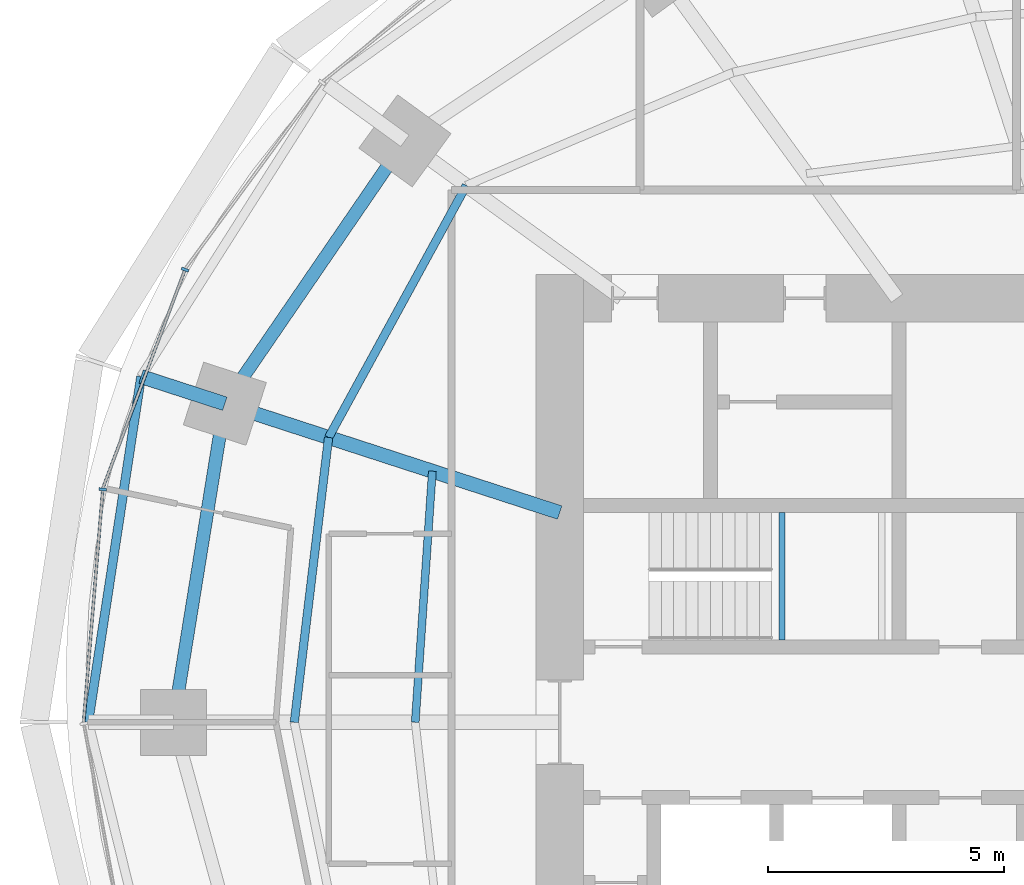
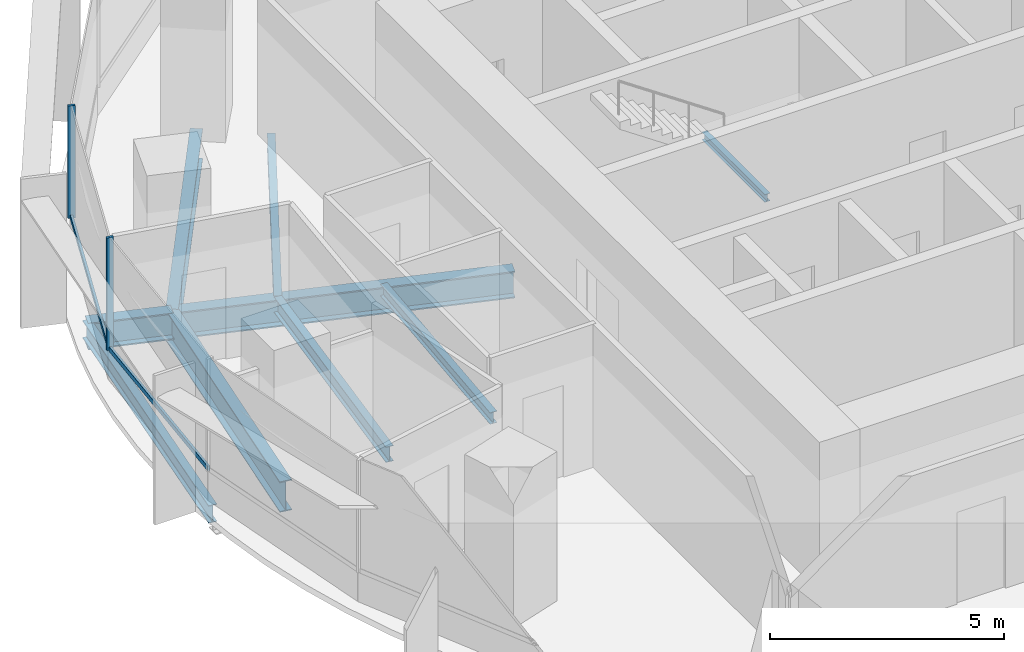
# One storey, part 4 of 14: 9 beams, 4 members, 1 element without a shape of its own.
"""IFC4 building model written with IfcOpenShell, lengths in metres."""

from ifc_helpers import new_model, si_unit, direction, frame, origin, origin_2d, place, context, subcontext, project, spatial, rectangle, i_section, extrude, material, material_profile, profile_set, type_object, element, aggregate, save


model = new_model("IFC4")

# Units and contexts
model_context = context("Model", 3, precision=1e-05, world=origin(), true_north=direction((0.0, 1.0)))
body_context = subcontext(model_context, "Body", "Model", "MODEL_VIEW")
ifc_project = project(units=[si_unit("LENGTHUNIT", "METRE"), si_unit("AREAUNIT", "SQUARE_METRE"), si_unit("VOLUMEUNIT", "CUBIC_METRE"), si_unit("PLANEANGLEUNIT", "RADIAN"), si_unit("MASSUNIT", "GRAM", prefix="KILO")], contexts=[model_context])

# Site, building, storey
site_placement = place(None, origin())
site = spatial("IfcSite", under=ifc_project, at=site_placement, CompositionType="ELEMENT")
building_placement = place(site_placement, origin())
building = spatial("IfcBuilding", under=site, at=building_placement, Name="Marramba Exchange Tower", CompositionType="ELEMENT")
storey_placement = place(building_placement, frame((0.0, 0.0, 183.800048828125)))
storey = spatial("IfcBuildingStorey", under=building, at=storey_placement, Name="L44", CompositionType="ELEMENT", Elevation=183.800048828125)

# Beams
ifc_material_1 = material(Name="Steel AS/NZS 3679.2 grade 300", Category="steel")
ifc_material_profile_1 = material_profile(ifc_material_1, i_section(OverallWidth=0.300048828125, OverallDepth=0.699951171875, WebThickness=0.010009765625, FlangeThickness=0.031982421875, at=origin_2d()), Name="700WB173")
ifc_profile_set_1 = profile_set([ifc_material_profile_1], Name="Steel AS/NZS 3679.2 grade 300")
beam_type_1 = type_object("IfcBeamType", Name="Cantilever girder 700WB173", PredefinedType="BEAM", material=ifc_profile_set_1)
beam_1_placement = place(storey_placement, frame((-20.808349609375, 6.760986328125, -0.510009765625), z_axis=(-0.951047511993, 0.309044705395, 0.0), x_axis=(-0.309044705395, -0.951047511993, 0.0)))
element("IfcBeam", 1, at=beam_1_placement, inside=storey, type_object=beam_type_1, Name="Cantilever girder L44 TC10", PredefinedType="BEAM", context=body_context, shape_type="SweptSolid", body=[
    extrude(i_section(OverallWidth=0.300048828125, OverallDepth=0.699951171875, WebThickness=0.010009765625, FlangeThickness=0.031982421875, at=origin_2d()), origin(), (0.0, 0.0, 1.0), 1.868408203125),
])
ifc_material_2 = material(Name="Steel AS/NZS 3679.1 grade 300", Category="steel")
ifc_material_profile_2 = material_profile(ifc_material_2, i_section(OverallWidth=0.166015625, OverallDepth=0.306884765625, WebThickness=0.006591796875, FlangeThickness=0.01171875, FilletRadius=0.011474609375, at=origin_2d()), Name="310UB46.2")
ifc_profile_set_2 = profile_set([ifc_material_profile_2], Name="Steel AS/NZS 3679.1 grade 300")
beam_type_2 = type_object("IfcBeamType", Name="Floor joist 310UB46.2", PredefinedType="JOIST", material=ifc_profile_set_2)
beam_2_placement = place(storey_placement, frame((-16.40283203125, 5.32958984375, -0.3134765625), z_axis=(-0.068096259546, -0.99767875563, 0.0), x_axis=(0.99767875563, -0.068096259546, 0.0)))
element("IfcBeam", 2, at=beam_2_placement, inside=storey, type_object=beam_type_2, Name="Joist L44 bay 10 row 1", PredefinedType="JOIST", context=body_context, shape_type="SweptSolid", body=[
    extrude(i_section(OverallWidth=0.166015625, OverallDepth=0.306884765625, WebThickness=0.006591796875, FlangeThickness=0.01171875, FilletRadius=0.011474609375, at=origin_2d()), origin(), (0.0, 0.0, 1.0), 5.342041015625),
])
ifc_material_profile_3 = material_profile(ifc_material_2, i_section(OverallWidth=0.177978515625, OverallDepth=0.406005859375, WebThickness=0.0078125, FlangeThickness=0.0126953125, FilletRadius=0.011474609375, at=origin_2d()), Name="410UB59.7")
ifc_profile_set_3 = profile_set([ifc_material_profile_3], Name="Steel AS/NZS 3679.1 grade 300")
beam_type_3 = type_object("IfcBeamType", Name="Floor joist 410UB59.7", PredefinedType="JOIST", material=ifc_profile_set_3)
beam_3_placement = place(storey_placement, frame((-15.682373046875, 11.393798828125, -0.363037109375), z_axis=(-0.479584443791, -0.877495732909, 0.0), x_axis=(0.877495732909, -0.479584443791, 0.0)))
element("IfcBeam", 3, at=beam_3_placement, inside=storey, type_object=beam_type_3, Name="Joist L44 bay 09 row 2", PredefinedType="JOIST", context=body_context, shape_type="SweptSolid", body=[
    extrude(i_section(OverallWidth=0.177978515625, OverallDepth=0.406005859375, WebThickness=0.0078125, FlangeThickness=0.0126953125, FilletRadius=0.011474609375, at=origin_2d()), origin(), (0.0, 0.0, 1.0), 6.094970703125),
])
beam_4_placement = place(storey_placement, frame((-18.60546875, 6.04541015625, -0.363037109375), z_axis=(-0.119523078538, -0.992831422597, 0.0), x_axis=(0.992831422597, -0.119523078538, 0.0)))
element("IfcBeam", 4, at=beam_4_placement, inside=storey, type_object=beam_type_3, Name="Joist L44 bay 10 row 2", PredefinedType="JOIST", context=body_context, shape_type="SweptSolid", body=[
    extrude(i_section(OverallWidth=0.177978515625, OverallDepth=0.406005859375, WebThickness=0.0078125, FlangeThickness=0.0126953125, FilletRadius=0.011474609375, at=origin_2d()), origin(), (0.0, 0.0, 1.0), 6.089111328125),
])

# Curtain wall, members
ifc_material_3 = material(Name="Aluminium framing, bronze anodised", Category="aluminium")
curtain_wall_type = type_object("IfcCurtainWallType", Name="Office ribbon curtain wall", PredefinedType="USERDEFINED", material=ifc_material_3)
curtain_wall_placement = place(storey_placement, origin())
curtain_wall = element("IfcCurtainWall", 5, at=curtain_wall_placement, inside=storey, type_object=curtain_wall_type, Name="Curtain wall CW4 L44 F11-F15", ObjectType="RIBBON CURTAIN WALL", PredefinedType="USERDEFINED")
ifc_material_4 = material(Name="Aluminium mullion, bronze anodised", Category="aluminium")
ifc_material_profile_4 = material_profile(ifc_material_4, rectangle(XDim=0.159912109375, YDim=0.06005859375, at=origin_2d()), Name="CW4 mullion 60x160")
ifc_profile_set_4 = profile_set([ifc_material_profile_4], Name="Aluminium mullion, bronze anodised")
member_type_1 = type_object("IfcMemberType", Name="Office ribbon curtain wall mullion", PredefinedType="MULLION", material=ifc_profile_set_4)
member_1_placement = place(storey_placement, frame((-21.65283203125, 9.607666015625, 0.800048828125), z_axis=(0.0, 0.0, 1.0), x_axis=(0.936018231909, -0.351951515885, 0.0)))
member_1 = element("IfcMember", 6, at=member_1_placement, type_object=member_type_1, Name="CW4 mullion 1", PredefinedType="MULLION", context=body_context, shape_type="SweptSolid", body=[
    extrude(rectangle(XDim=0.159912109375, YDim=0.06005859375, at=origin_2d()), origin(), (0.0, 0.0, 1.0), 2.93994140625),
])
member_2_placement = place(storey_placement, frame((-23.39794921875, 4.94287109375, 0.800048828125), z_axis=(0.0, 0.0, 1.0), x_axis=(0.996609178714, -0.082280890264, 0.0)))
member_2 = element("IfcMember", 7, at=member_2_placement, type_object=member_type_1, Name="CW4 mullion 1", PredefinedType="MULLION", context=body_context, shape_type="SweptSolid", body=[
    extrude(rectangle(XDim=0.159912109375, YDim=0.06005859375, at=origin_2d()), origin(), (0.0, 0.0, 1.0), 2.93994140625),
])
ifc_material_5 = material(Name="Aluminium transom, bronze anodised", Category="aluminium")
ifc_material_profile_5 = material_profile(ifc_material_5, rectangle(XDim=0.06005859375, YDim=0.1201171875, at=origin_2d()), Name="CW4 transom 60x120")
ifc_profile_set_5 = profile_set([ifc_material_profile_5], Name="Aluminium transom, bronze anodised")
member_type_2 = type_object("IfcMemberType", Name="Office ribbon curtain wall transom", PredefinedType="USERDEFINED", material=ifc_profile_set_5)
member_3_placement = place(storey_placement, frame((-21.663330078125, 9.57958984375, 0.829833984375), z_axis=(-0.351955054115, -0.936016901494, 0.0), x_axis=(0.936016901494, -0.351955054115, 0.0)))
member_3 = element("IfcMember", 8, at=member_3_placement, type_object=member_type_2, Name="CW4 sill transom", ObjectType="TRANSOM", PredefinedType="USERDEFINED", context=body_context, shape_type="SweptSolid", body=[
    extrude(rectangle(XDim=0.06005859375, YDim=0.1201171875, at=origin_2d()), origin(), (0.0, 0.0, 1.0), 4.921630859375),
])
member_4_placement = place(storey_placement, frame((-23.400390625, 4.9130859375, 0.829833984375), z_axis=(-0.082258542539, -0.996611023509, 0.0), x_axis=(0.996611023509, -0.082258542539, 0.0)))
member_4 = element("IfcMember", 9, at=member_4_placement, type_object=member_type_2, Name="CW4 sill transom", ObjectType="TRANSOM", PredefinedType="USERDEFINED", context=body_context, shape_type="SweptSolid", body=[
    extrude(rectangle(XDim=0.06005859375, YDim=0.1201171875, at=origin_2d()), origin(), (0.0, 0.0, 1.0), 4.9296875),
])
aggregate(curtain_wall, [member_1, member_3, member_2, member_4])

# Beams
ifc_material_profile_6 = material_profile(ifc_material_1, i_section(OverallWidth=0.300048828125, OverallDepth=0.699951171875, WebThickness=0.010009765625, FlangeThickness=0.031982421875, at=origin_2d()), Name="700WB173")
ifc_profile_set_6 = profile_set([ifc_material_profile_6], Name="Steel AS/NZS 3679.2 grade 300")
beam_type_4 = type_object("IfcBeamType", Name="Radial girder 700WB173", PredefinedType="BEAM", material=ifc_profile_set_6)
beam_5_placement = place(storey_placement, frame((-13.699951171875, 4.451416015625, -0.510009765625), z_axis=(-0.951059990189, 0.309006302624, 0.0), x_axis=(-0.309006302624, -0.951059990189, 0.0)))
element("IfcBeam", 10, at=beam_5_placement, inside=storey, type_object=beam_type_4, Name="Radial girder L44 TC10", PredefinedType="BEAM", context=body_context, shape_type="SweptSolid", body=[
    extrude(i_section(OverallWidth=0.300048828125, OverallDepth=0.699951171875, WebThickness=0.010009765625, FlangeThickness=0.031982421875, at=origin_2d()), origin(), (0.0, 0.0, 1.0), 7.47412109375),
])
ifc_material_profile_7 = material_profile(ifc_material_1, i_section(OverallWidth=0.27490234375, OverallDepth=0.800048828125, WebThickness=0.010009765625, FlangeThickness=0.02490234375, at=origin_2d()), Name="800WB168")
ifc_profile_set_7 = profile_set([ifc_material_profile_7], Name="Steel AS/NZS 3679.2 grade 300")
beam_type_5 = type_object("IfcBeamType", Name="Ring beam 800WB168", PredefinedType="SPANDREL", material=ifc_profile_set_7)
beam_6_placement = place(storey_placement, frame((-16.98583984375, 12.3408203125, -0.56005859375), z_axis=(-0.56516002054, -0.824981303535, 0.0), x_axis=(0.824981303535, -0.56516002054, 0.0)))
element("IfcBeam", 11, at=beam_6_placement, inside=storey, type_object=beam_type_5, Name="Ring beam L44 TC09-TC10", PredefinedType="SPANDREL", context=body_context, shape_type="SweptSolid", body=[
    extrude(i_section(OverallWidth=0.27490234375, OverallDepth=0.800048828125, WebThickness=0.010009765625, FlangeThickness=0.02490234375, at=origin_2d()), origin(), (0.0, 0.0, 1.0), 6.763671875),
])
beam_7_placement = place(storey_placement, frame((-20.808349609375, 6.760986328125, -0.56005859375), z_axis=(-0.159384865399, -0.987216523708, 0.0), x_axis=(0.987216523708, -0.159384865399, 0.0)))
element("IfcBeam", 12, at=beam_7_placement, inside=storey, type_object=beam_type_5, Name="Ring beam L44 TC10-TC11", PredefinedType="SPANDREL", context=body_context, shape_type="SweptSolid", body=[
    extrude(i_section(OverallWidth=0.27490234375, OverallDepth=0.800048828125, WebThickness=0.010009765625, FlangeThickness=0.02490234375, at=origin_2d()), origin(), (0.0, 0.0, 1.0), 6.8486328125),
])
ifc_material_profile_8 = material_profile(ifc_material_2, i_section(OverallWidth=0.19091796875, OverallDepth=0.4599609375, WebThickness=0.010009765625, FlangeThickness=0.01611328125, FilletRadius=0.011474609375, at=origin_2d()), Name="460UB82.1")
ifc_profile_set_8 = profile_set([ifc_material_profile_8], Name="Steel AS/NZS 3679.1 grade 300")
beam_type_6 = type_object("IfcBeamType", Name="Slab edge beam 460UB82.1", PredefinedType="SPANDREL", material=ifc_profile_set_8)
beam_8_placement = place(storey_placement, frame((-22.585205078125, 7.33837890625, -0.39013671875), z_axis=(-0.150987012186, -0.988535746522, 0.0), x_axis=(0.988535746522, -0.150987012186, 0.0)))
element("IfcBeam", 13, at=beam_8_placement, inside=storey, type_object=beam_type_6, Name="Slab edge beam L44 TC10-TC11", PredefinedType="SPANDREL", context=body_context, shape_type="SweptSolid", body=[
    extrude(i_section(OverallWidth=0.19091796875, OverallDepth=0.4599609375, WebThickness=0.010009765625, FlangeThickness=0.01611328125, FilletRadius=0.011474609375, at=origin_2d()), origin(), (0.0, 0.0, 1.0), 7.423583984375),
])
ifc_material_profile_9 = material_profile(ifc_material_2, i_section(OverallWidth=0.133056640625, OverallDepth=0.202880859375, WebThickness=0.005859375, FlangeThickness=0.0078125, FilletRadius=0.0087890625, at=origin_2d()), Name="200UB25.4")
ifc_profile_set_9 = profile_set([ifc_material_profile_9], Name="Steel AS/NZS 3679.1 grade 300")
beam_type_7 = type_object("IfcBeamType", Name="Stair landing beam 200UB25.4", PredefinedType="BEAM", material=ifc_profile_set_9)
beam_9_placement = place(storey_placement, frame((-8.9833984375, 1.75, 1.6484375), z_axis=(0.0, 1.0, 0.0), x_axis=(-1.0, 0.0, 0.0)))
element("IfcBeam", 14, at=beam_9_placement, inside=storey, type_object=beam_type_7, Name="Stair landing beam SLB1 ST1 L44 1", PredefinedType="BEAM", context=body_context, shape_type="SweptSolid", body=[
    extrude(i_section(OverallWidth=0.133056640625, OverallDepth=0.202880859375, WebThickness=0.005859375, FlangeThickness=0.0078125, FilletRadius=0.0087890625, at=origin_2d()), origin(), (0.0, 0.0, 1.0), 2.699951171875),
])

save(model, "model.ifc")
